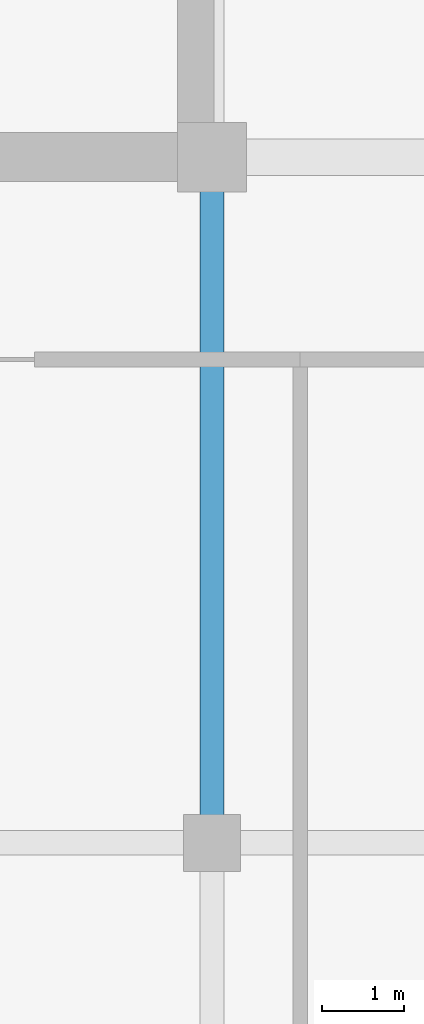
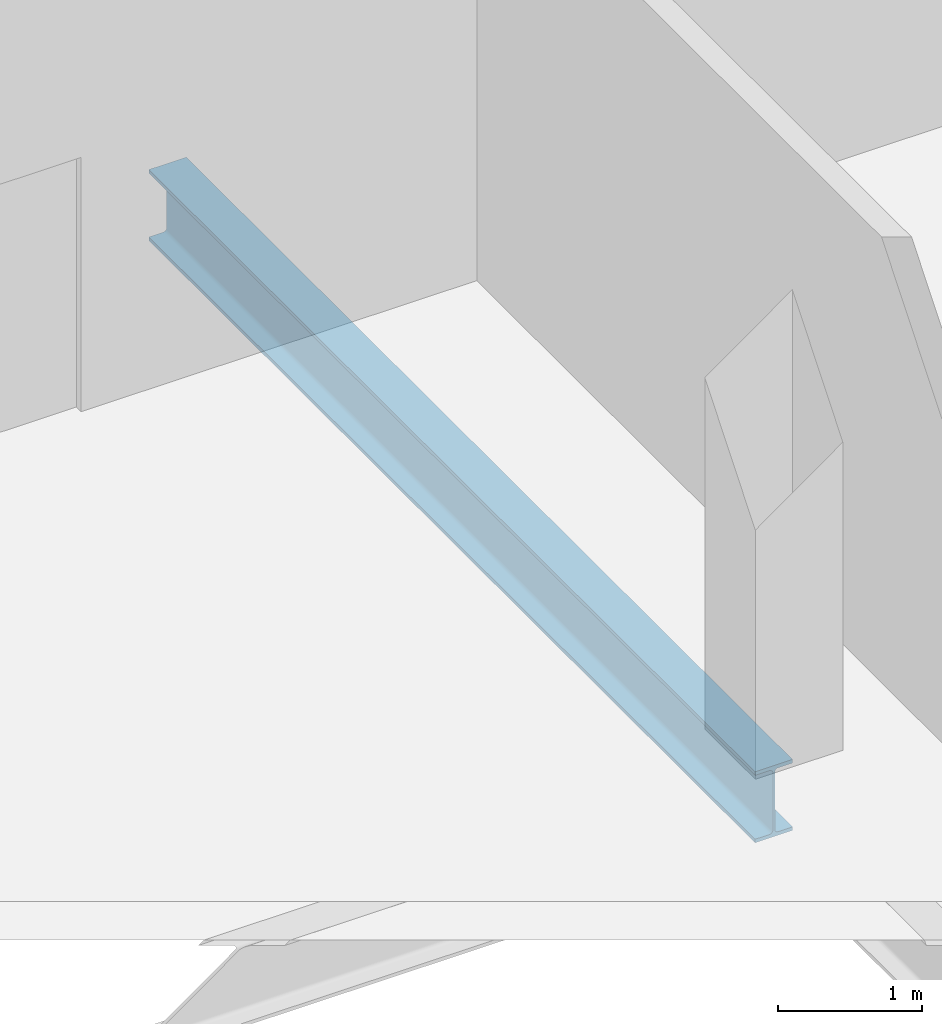
# One storey, part 6 of 28: 1 beam.
"""IFC4 building model written with IfcOpenShell, lengths in metres."""

from ifc_helpers import new_model, si_unit, direction, frame, origin, origin_2d, place, context, subcontext, project, spatial, i_section, extrude, material, material_profile, profile_set, type_object, element, save


model = new_model("IFC4")

# Units and contexts
model_context = context("Model", 3, precision=1e-05, world=origin(), true_north=direction((0.0, 1.0)))
body_context = subcontext(model_context, "Body", "Model", "MODEL_VIEW")
ifc_project = project(units=[si_unit("LENGTHUNIT", "METRE"), si_unit("AREAUNIT", "SQUARE_METRE"), si_unit("VOLUMEUNIT", "CUBIC_METRE"), si_unit("PLANEANGLEUNIT", "RADIAN"), si_unit("MASSUNIT", "GRAM", prefix="KILO")], contexts=[model_context])

# Site, building, storey
site_placement = place(None, origin())
site = spatial("IfcSite", under=ifc_project, at=site_placement, CompositionType="ELEMENT")
building_placement = place(site_placement, origin())
building = spatial("IfcBuilding", under=site, at=building_placement, Name="Zarnakvel Exchange Tower", CompositionType="ELEMENT")
storey_placement = place(building_placement, frame((0.0, 0.0, 276.199951171875)))
storey = spatial("IfcBuildingStorey", under=building, at=storey_placement, Name="Crown L78", CompositionType="ELEMENT", Elevation=276.199951171875)

# Beam
ifc_material = material(Name="Steel S355", Category="steel")
ifc_material_profile = material_profile(ifc_material, i_section(OverallWidth=0.300048828125, OverallDepth=0.60009765625, WebThickness=0.015380859375, FlangeThickness=0.030029296875, FilletRadius=0.027099609375, at=origin_2d()))
ifc_profile_set = profile_set([ifc_material_profile], Name="Steel S355")
beam_type = type_object("IfcBeamType", Name="G-04", PredefinedType="BEAM", material=ifc_profile_set)
beam_placement = place(storey_placement, frame((-7.199951171875, -9.60009765625, -0.52001953125), z_axis=(0.0, 1.0, 0.0), x_axis=(-1.0, 0.0, 0.0)))
element("IfcBeam", 1, at=beam_placement, inside=storey, type_object=beam_type, Name="Crown L78 Tower N-S Frame Beam", PredefinedType="BEAM", context=body_context, shape_type="SweptSolid", body=[
    extrude(i_section(OverallWidth=0.300048828125, OverallDepth=0.60009765625, WebThickness=0.015380859375, FlangeThickness=0.030029296875, FilletRadius=0.027099609375, at=origin_2d()), origin(), (0.0, 0.0, 1.0), 8.400146484375),
])

save(model, "model.ifc")
